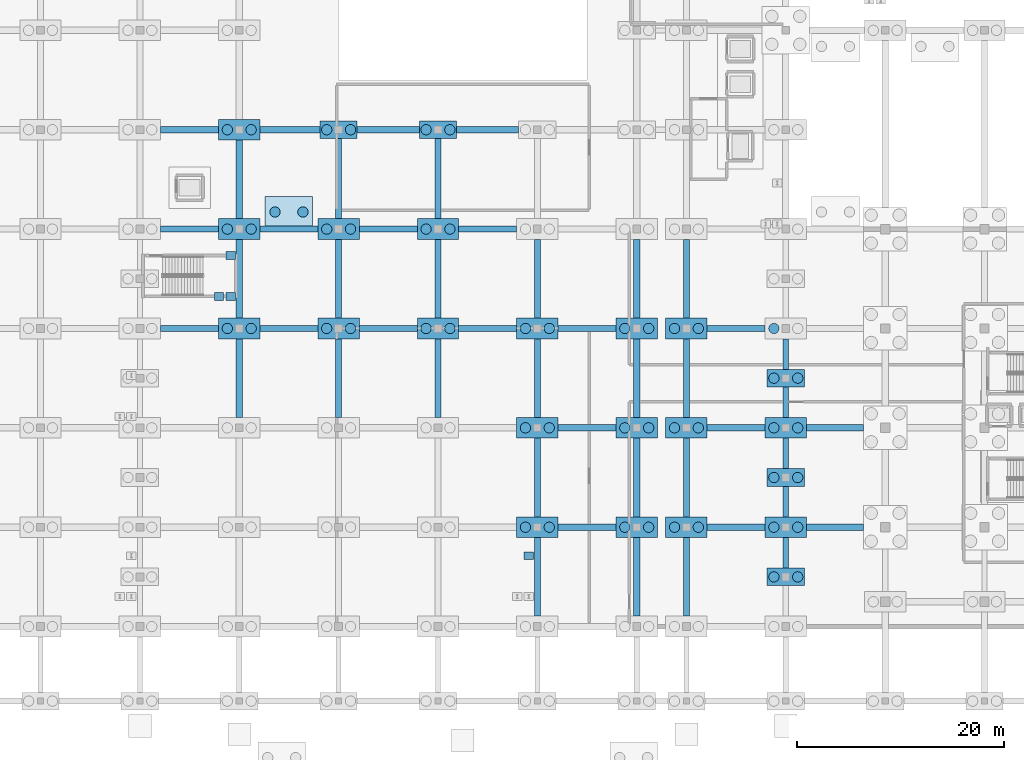
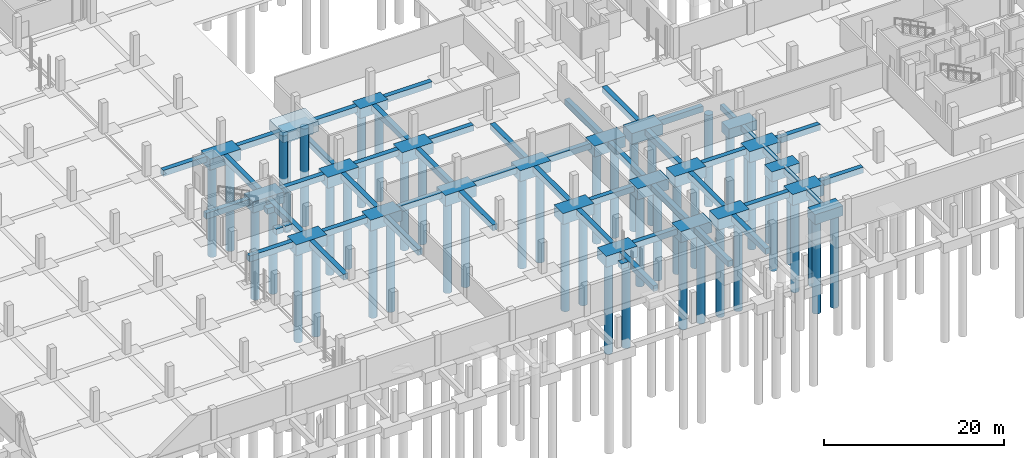
# One storey, part 4 of 54: 74 footings, 49 piles.
"""IFC4 building model written with IfcOpenShell, lengths in metres."""

from ifc_helpers import new_model, si_unit, direction, frame, origin, origin_2d, place, context, subcontext, project, spatial, rectangle, circle, extrude, material, material_profile, profile_set, type_object, element, save


model = new_model("IFC4")

# Units and contexts
model_context = context("Model", 3, precision=1e-05, world=origin(), true_north=direction((0.0, 1.0)))
body_context = subcontext(model_context, "Body", "Model", "MODEL_VIEW")
ifc_project = project(units=[si_unit("LENGTHUNIT", "METRE"), si_unit("AREAUNIT", "SQUARE_METRE"), si_unit("VOLUMEUNIT", "CUBIC_METRE"), si_unit("PLANEANGLEUNIT", "RADIAN"), si_unit("MASSUNIT", "GRAM", prefix="KILO")], contexts=[model_context])

# Site, building, storey
site_placement = place(None, origin())
site = spatial("IfcSite", under=ifc_project, at=site_placement, CompositionType="ELEMENT")
building_placement = place(site_placement, origin())
building = spatial("IfcBuilding", under=site, at=building_placement, Name="Zevrakil Square Congress Hotel", CompositionType="ELEMENT")
storey_placement = place(building_placement, frame((0.0, 0.0, -8.39990234375)))
storey = spatial("IfcBuildingStorey", under=building, at=storey_placement, Name="B2", CompositionType="ELEMENT", Elevation=-8.39990234375)

# Footings
ifc_material_1 = material(Name="Concrete C35/45", Category="concrete")
footing_type_1 = type_object("IfcFootingType", Name="FTG-PC2-360", PredefinedType="PILE_CAP", material=ifc_material_1)
for number, where, z_axis, x_axis, name in (
    (1, (74.39990234375, 55.199951171875, -1.35009765625), (0.0, 0.0, 1.0), (1.0, 0.0, 0.0), "Pile cap PC2-118"),
    (2, (84.0, 55.199951171875, -1.35009765625), (0.0, 0.0, 1.0), (1.0, 0.0, 0.0), "Pile cap PC2-132"),
    (3, (117.60009765625, 12.0, -1.35009765625), (0.0, 0.0, 1.0), (1.0, 0.0, 0.0), "Pile cap PC2-N117-012"),
    (4, (117.60009765625, 21.60009765625, -1.35009765625), (0.0, 0.0, 1.0), (1.0, 0.0, 0.0), "Pile cap PC2-N117-021"),
    (5, (117.60009765625, 31.199951171875, -1.35009765625), (0.0, 0.0, 1.0), (1.0, 0.0, 0.0), "Pile cap PC2-N117-031"),
):
    element("IfcFooting", number, at=place(storey_placement, frame(where, z_axis=z_axis, x_axis=x_axis)), inside=storey, type_object=footing_type_1, Name=name, PredefinedType="PILE_CAP", context=body_context, shape_type="SweptSolid", body=[
        extrude(rectangle(XDim=3.60009765625, YDim=1.699951171875, at=origin_2d()), origin(), (0.0, 0.0, 1.0), 1.35009765625),
    ])
ifc_material_2 = material(Name="Concrete C35/45", Category="concrete")
footing_type_2 = type_object("IfcFootingType", Name="FTG-PC2-400", PredefinedType="PILE_CAP", material=ifc_material_2)
for number, where, z_axis, x_axis, name in (
    (6, (64.800048828125, 36.0, -1.5), (0.0, 0.0, 1.0), (1.0, 0.0, 0.0), "Pile cap PC2-102"),
    (7, (64.800048828125, 45.60009765625, -1.5), (0.0, 0.0, 1.0), (1.0, 0.0, 0.0), "Pile cap PC2-103"),
    (8, (64.800048828125, 55.199951171875, -1.5), (0.0, 0.0, 1.0), (1.0, 0.0, 0.0), "Pile cap PC2-104"),
    (9, (74.39990234375, 36.0, -1.5), (0.0, 0.0, 1.0), (1.0, 0.0, 0.0), "Pile cap PC2-116"),
    (10, (74.39990234375, 45.60009765625, -1.5), (0.0, 0.0, 1.0), (1.0, 0.0, 0.0), "Pile cap PC2-117"),
    (11, (84.0, 36.0, -1.5), (0.0, 0.0, 1.0), (1.0, 0.0, 0.0), "Pile cap PC2-130"),
    (12, (84.0, 45.60009765625, -1.5), (0.0, 0.0, 1.0), (1.0, 0.0, 0.0), "Pile cap PC2-131"),
    (13, (93.60009765625, 16.800048828125, -1.5), (0.0, 0.0, 1.0), (1.0, 0.0, 0.0), "Pile cap PC2-142"),
    (14, (93.60009765625, 26.39990234375, -1.5), (0.0, 0.0, 1.0), (1.0, 0.0, 0.0), "Pile cap PC2-143"),
    (15, (93.60009765625, 36.0, -1.5), (0.0, 0.0, 1.0), (1.0, 0.0, 0.0), "Pile cap PC2-144"),
    (16, (103.199951171875, 16.800048828125, -1.5), (0.0, 0.0, 1.0), (1.0, 0.0, 0.0), "Pile cap PC2-156"),
    (17, (103.199951171875, 26.39990234375, -1.5), (0.0, 0.0, 1.0), (1.0, 0.0, 0.0), "Pile cap PC2-157"),
    (18, (103.199951171875, 36.0, -1.5), (0.0, 0.0, 1.0), (1.0, 0.0, 0.0), "Pile cap PC2-158"),
    (19, (108.0, 16.800048828125, -1.5), (0.0, 0.0, 1.0), (1.0, 0.0, 0.0), "Pile cap PC2-170"),
    (20, (108.0, 26.39990234375, -1.5), (0.0, 0.0, 1.0), (1.0, 0.0, 0.0), "Pile cap PC2-171"),
    (21, (108.0, 36.0, -1.5), (0.0, 0.0, 1.0), (1.0, 0.0, 0.0), "Pile cap PC2-172"),
    (22, (117.60009765625, 16.800048828125, -1.5), (0.0, 0.0, 1.0), (1.0, 0.0, 0.0), "Pile cap PC2-184"),
    (23, (117.60009765625, 26.39990234375, -1.5), (0.0, 0.0, 1.0), (1.0, 0.0, 0.0), "Pile cap PC2-185"),
):
    element("IfcFooting", number, at=place(storey_placement, frame(where, z_axis=z_axis, x_axis=x_axis)), inside=storey, type_object=footing_type_2, Name=name, PredefinedType="PILE_CAP", context=body_context, shape_type="SweptSolid", body=[
        extrude(rectangle(XDim=4.0, YDim=2.0, at=origin_2d()), origin(), (0.0, 0.0, 1.0), 1.5),
    ])
ifc_material_3 = material(Name="Concrete C35/45", Category="concrete")
footing_type_3 = type_object("IfcFootingType", Name="FTG-PC2-460x300", PredefinedType="PILE_CAP", material=ifc_material_3)
footing_1_placement = place(storey_placement, frame((69.60009765625, 47.25, 5.75), z_axis=(0.0, 0.0, 1.0), x_axis=(1.0, 0.0, 0.0)))
element("IfcFooting", 24, at=footing_1_placement, inside=storey, type_object=footing_type_3, Name="Exterior exit landing two-pile cap EX-ST04", PredefinedType="PILE_CAP", context=body_context, shape_type="SweptSolid", body=[
    extrude(rectangle(XDim=4.60009765625, YDim=3.0, at=origin_2d()), origin(), (0.0, 0.0, 1.0), 1.39990234375),
])
ifc_material_4 = material(Name="Concrete C35/45", Category="concrete")
ifc_material_profile_1 = material_profile(ifc_material_4, rectangle(XDim=0.75, YDim=0.75, at=origin_2d()), Name="RC 750x750")
ifc_profile_set_1 = profile_set([ifc_material_profile_1], Name="Concrete C35/45")
footing_type_4 = type_object("IfcFootingType", Name="FTG-STRIP-750", PredefinedType="STRIP_FOOTING", material=ifc_profile_set_1)
footing_2_placement = place(storey_placement, frame((62.39990234375, 39.10009765625, -0.375), z_axis=(1.0, 0.0, 0.0), x_axis=(0.0, 1.0, 0.0)))
element("IfcFooting", 25, at=footing_2_placement, inside=storey, type_object=footing_type_4, Name="B2 stair post footing ST04-1", PredefinedType="STRIP_FOOTING", context=body_context, shape_type="SweptSolid", body=[
    extrude(rectangle(XDim=0.75, YDim=0.75, at=origin_2d()), origin(), (0.0, 0.0, 1.0), 0.900146484375),
])
for number, where, z_axis, x_axis, name in (
    (26, (63.530029296875, 39.10009765625, -0.375), (1.0, 0.0, 0.0), (0.0, 1.0, 0.0), "B2 stair post footing ST04-2"),
    (27, (63.530029296875, 43.050048828125, -0.375), (1.0, 0.0, 0.0), (0.0, 1.0, 0.0), "B2 stair post footing ST04-3"),
    (28, (92.330078125, 14.050048828125, -0.375), (1.0, 0.0, 0.0), (0.0, 1.0, 0.0), "B2 stair post footing ST15-3"),
):
    element("IfcFooting", number, at=place(storey_placement, frame(where, z_axis=z_axis, x_axis=x_axis)), inside=storey, type_object=footing_type_4, Name=name, PredefinedType="STRIP_FOOTING", context=body_context, shape_type="SweptSolid", body=[
        extrude(rectangle(XDim=0.75, YDim=0.75, at=origin_2d()), origin(), (0.0, 0.0, 1.0), 0.89990234375),
    ])
ifc_material_5 = material(Name="Concrete C35/45", Category="concrete")
ifc_material_profile_2 = material_profile(ifc_material_5, rectangle(XDim=0.5, YDim=0.75, at=origin_2d()), Name="RC 500x750")
ifc_profile_set_2 = profile_set([ifc_material_profile_2], Name="Concrete C35/45")
footing_type_5 = type_object("IfcFootingType", Name="FTG-TIE-500x750", PredefinedType="FOOTING_BEAM", material=ifc_profile_set_2)
for number, where, z_axis, x_axis, name in (
    (29, (117.60009765625, 12.85009765625, -0.375), (0.0, 1.0, 0.0), (-1.0, 0.0, 0.0), "Ground tie beam GB-376"),
    (30, (117.60009765625, 17.800048828125, -0.375), (0.0, 1.0, 0.0), (-1.0, 0.0, 0.0), "Ground tie beam GB-377"),
    (31, (117.60009765625, 22.449951171875, -0.375), (0.0, 1.0, 0.0), (-1.0, 0.0, 0.0), "Ground tie beam GB-378"),
):
    element("IfcFooting", number, at=place(storey_placement, frame(where, z_axis=z_axis, x_axis=x_axis)), inside=storey, type_object=footing_type_5, Name=name, PredefinedType="FOOTING_BEAM", context=body_context, shape_type="SweptSolid", body=[
        extrude(rectangle(XDim=0.5, YDim=0.75, at=origin_2d()), origin(), (0.0, 0.0, 1.0), 2.949951171875),
    ])
footing_3_placement = place(storey_placement, frame((117.60009765625, 27.39990234375, -0.375), z_axis=(0.0, 1.0, 0.0), x_axis=(-1.0, 0.0, 0.0)))
element("IfcFooting", 32, at=footing_3_placement, inside=storey, type_object=footing_type_5, Name="Ground tie beam GB-379", PredefinedType="FOOTING_BEAM", context=body_context, shape_type="SweptSolid", body=[
    extrude(rectangle(XDim=0.5, YDim=0.75, at=origin_2d()), origin(), (0.0, 0.0, 1.0), 2.9501953125),
])
footing_4_placement = place(storey_placement, frame((117.60009765625, 32.050048828125, -0.375), z_axis=(0.0, 1.0, 0.0), x_axis=(-1.0, 0.0, 0.0)))
element("IfcFooting", 33, at=footing_4_placement, inside=storey, type_object=footing_type_5, Name="Ground tie beam GB-380", PredefinedType="FOOTING_BEAM", context=body_context, shape_type="SweptSolid", body=[
    extrude(rectangle(XDim=0.5, YDim=0.75, at=origin_2d()), origin(), (0.0, 0.0, 1.0), 2.949951171875),
])
ifc_material_6 = material(Name="Concrete C35/45", Category="concrete")
ifc_material_profile_3 = material_profile(ifc_material_6, rectangle(XDim=0.60009765625, YDim=0.800048828125, at=origin_2d()), Name="RC 600x800")
ifc_profile_set_3 = profile_set([ifc_material_profile_3], Name="Concrete C35/45")
footing_type_6 = type_object("IfcFootingType", Name="FTG-TIE-600x800", PredefinedType="FOOTING_BEAM", material=ifc_profile_set_3)
footing_5_placement = place(storey_placement, frame((95.60009765625, 16.800048828125, -0.400146484375), z_axis=(1.0, 0.0, 0.0), x_axis=(0.0, 1.0, 0.0)))
element("IfcFooting", 34, at=footing_5_placement, inside=storey, type_object=footing_type_6, Name="Ground tie beam GB-046", PredefinedType="FOOTING_BEAM", context=body_context, shape_type="SweptSolid", body=[
    extrude(rectangle(XDim=0.60009765625, YDim=0.800048828125, at=origin_2d()), origin(), (0.0, 0.0, 1.0), 5.599853515625),
])
footing_6_placement = place(storey_placement, frame((110.0, 16.800048828125, -0.400146484375), z_axis=(1.0, 0.0, 0.0), x_axis=(0.0, 1.0, 0.0)))
element("IfcFooting", 35, at=footing_6_placement, inside=storey, type_object=footing_type_6, Name="Ground tie beam GB-047", PredefinedType="FOOTING_BEAM", context=body_context, shape_type="SweptSolid", body=[
    extrude(rectangle(XDim=0.60009765625, YDim=0.800048828125, at=origin_2d()), origin(), (0.0, 0.0, 1.0), 5.60009765625),
])
footing_7_placement = place(storey_placement, frame((119.60009765625, 16.800048828125, -0.400146484375), z_axis=(1.0, 0.0, 0.0), x_axis=(0.0, 1.0, 0.0)))
element("IfcFooting", 36, at=footing_7_placement, inside=storey, type_object=footing_type_6, Name="Ground tie beam GB-048", PredefinedType="FOOTING_BEAM", context=body_context, shape_type="SweptSolid", body=[
    extrude(rectangle(XDim=0.60009765625, YDim=0.800048828125, at=origin_2d()), origin(), (0.0, 0.0, 1.0), 5.5),
])
footing_8_placement = place(storey_placement, frame((95.60009765625, 26.39990234375, -0.400146484375), z_axis=(1.0, 0.0, 0.0), x_axis=(0.0, 1.0, 0.0)))
element("IfcFooting", 37, at=footing_8_placement, inside=storey, type_object=footing_type_6, Name="Ground tie beam GB-064", PredefinedType="FOOTING_BEAM", context=body_context, shape_type="SweptSolid", body=[
    extrude(rectangle(XDim=0.60009765625, YDim=0.800048828125, at=origin_2d()), origin(), (0.0, 0.0, 1.0), 5.599853515625),
])
footing_9_placement = place(storey_placement, frame((110.0, 26.39990234375, -0.400146484375), z_axis=(1.0, 0.0, 0.0), x_axis=(0.0, 1.0, 0.0)))
element("IfcFooting", 38, at=footing_9_placement, inside=storey, type_object=footing_type_6, Name="Ground tie beam GB-065", PredefinedType="FOOTING_BEAM", context=body_context, shape_type="SweptSolid", body=[
    extrude(rectangle(XDim=0.60009765625, YDim=0.800048828125, at=origin_2d()), origin(), (0.0, 0.0, 1.0), 5.60009765625),
])
footing_10_placement = place(storey_placement, frame((119.60009765625, 26.39990234375, -0.400146484375), z_axis=(1.0, 0.0, 0.0), x_axis=(0.0, 1.0, 0.0)))
element("IfcFooting", 39, at=footing_10_placement, inside=storey, type_object=footing_type_6, Name="Ground tie beam GB-066", PredefinedType="FOOTING_BEAM", context=body_context, shape_type="SweptSolid", body=[
    extrude(rectangle(XDim=0.60009765625, YDim=0.800048828125, at=origin_2d()), origin(), (0.0, 0.0, 1.0), 5.5),
])
footing_11_placement = place(storey_placement, frame((57.199951171875, 36.0, -0.400146484375), z_axis=(1.0, 0.0, 0.0), x_axis=(0.0, 1.0, 0.0)))
element("IfcFooting", 40, at=footing_11_placement, inside=storey, type_object=footing_type_6, Name="Ground tie beam GB-077", PredefinedType="FOOTING_BEAM", context=body_context, shape_type="SweptSolid", body=[
    extrude(rectangle(XDim=0.60009765625, YDim=0.800048828125, at=origin_2d()), origin(), (0.0, 0.0, 1.0), 5.60009765625),
])
footing_12_placement = place(storey_placement, frame((66.800048828125, 36.0, -0.400146484375), z_axis=(1.0, 0.0, 0.0), x_axis=(0.0, 1.0, 0.0)))
element("IfcFooting", 41, at=footing_12_placement, inside=storey, type_object=footing_type_6, Name="Ground tie beam GB-078", PredefinedType="FOOTING_BEAM", context=body_context, shape_type="SweptSolid", body=[
    extrude(rectangle(XDim=0.60009765625, YDim=0.800048828125, at=origin_2d()), origin(), (0.0, 0.0, 1.0), 5.599853515625),
])
for number, where, z_axis, x_axis, name in (
    (42, (76.39990234375, 36.0, -0.400146484375), (1.0, 0.0, 0.0), (0.0, 1.0, 0.0), "Ground tie beam GB-079"),
    (43, (86.0, 36.0, -0.400146484375), (1.0, 0.0, 0.0), (0.0, 1.0, 0.0), "Ground tie beam GB-080"),
):
    element("IfcFooting", number, at=place(storey_placement, frame(where, z_axis=z_axis, x_axis=x_axis)), inside=storey, type_object=footing_type_6, Name=name, PredefinedType="FOOTING_BEAM", context=body_context, shape_type="SweptSolid", body=[
        extrude(rectangle(XDim=0.60009765625, YDim=0.800048828125, at=origin_2d()), origin(), (0.0, 0.0, 1.0), 5.60009765625),
    ])
footing_13_placement = place(storey_placement, frame((95.60009765625, 36.0, -0.400146484375), z_axis=(1.0, 0.0, 0.0), x_axis=(0.0, 1.0, 0.0)))
element("IfcFooting", 44, at=footing_13_placement, inside=storey, type_object=footing_type_6, Name="Ground tie beam GB-081", PredefinedType="FOOTING_BEAM", context=body_context, shape_type="SweptSolid", body=[
    extrude(rectangle(XDim=0.60009765625, YDim=0.800048828125, at=origin_2d()), origin(), (0.0, 0.0, 1.0), 5.599853515625),
])
for number, where, z_axis, x_axis, name in (
    (45, (110.0, 36.0, -0.400146484375), (1.0, 0.0, 0.0), (0.0, 1.0, 0.0), "Ground tie beam GB-082"),
    (46, (57.199951171875, 45.60009765625, -0.400146484375), (1.0, 0.0, 0.0), (0.0, 1.0, 0.0), "Ground tie beam GB-094"),
):
    element("IfcFooting", number, at=place(storey_placement, frame(where, z_axis=z_axis, x_axis=x_axis)), inside=storey, type_object=footing_type_6, Name=name, PredefinedType="FOOTING_BEAM", context=body_context, shape_type="SweptSolid", body=[
        extrude(rectangle(XDim=0.60009765625, YDim=0.800048828125, at=origin_2d()), origin(), (0.0, 0.0, 1.0), 5.60009765625),
    ])
footing_14_placement = place(storey_placement, frame((66.800048828125, 45.60009765625, -0.400146484375), z_axis=(1.0, 0.0, 0.0), x_axis=(0.0, 1.0, 0.0)))
element("IfcFooting", 47, at=footing_14_placement, inside=storey, type_object=footing_type_6, Name="Ground tie beam GB-095", PredefinedType="FOOTING_BEAM", context=body_context, shape_type="SweptSolid", body=[
    extrude(rectangle(XDim=0.60009765625, YDim=0.800048828125, at=origin_2d()), origin(), (0.0, 0.0, 1.0), 5.599853515625),
])
for number, where, z_axis, x_axis, name in (
    (48, (76.39990234375, 45.60009765625, -0.400146484375), (1.0, 0.0, 0.0), (0.0, 1.0, 0.0), "Ground tie beam GB-096"),
    (49, (86.0, 45.60009765625, -0.400146484375), (1.0, 0.0, 0.0), (0.0, 1.0, 0.0), "Ground tie beam GB-097"),
    (50, (57.199951171875, 55.199951171875, -0.400146484375), (1.0, 0.0, 0.0), (0.0, 1.0, 0.0), "Ground tie beam GB-111"),
):
    element("IfcFooting", number, at=place(storey_placement, frame(where, z_axis=z_axis, x_axis=x_axis)), inside=storey, type_object=footing_type_6, Name=name, PredefinedType="FOOTING_BEAM", context=body_context, shape_type="SweptSolid", body=[
        extrude(rectangle(XDim=0.60009765625, YDim=0.800048828125, at=origin_2d()), origin(), (0.0, 0.0, 1.0), 5.60009765625),
    ])
footing_15_placement = place(storey_placement, frame((66.800048828125, 55.199951171875, -0.400146484375), z_axis=(1.0, 0.0, 0.0), x_axis=(0.0, 1.0, 0.0)))
element("IfcFooting", 51, at=footing_15_placement, inside=storey, type_object=footing_type_6, Name="Ground tie beam GB-112", PredefinedType="FOOTING_BEAM", context=body_context, shape_type="SweptSolid", body=[
    extrude(rectangle(XDim=0.60009765625, YDim=0.800048828125, at=origin_2d()), origin(), (0.0, 0.0, 1.0), 5.800048828125),
])
for number, where, z_axis, x_axis, name in (
    (52, (76.199951171875, 55.199951171875, -0.400146484375), (1.0, 0.0, 0.0), (0.0, 1.0, 0.0), "Ground tie beam GB-113"),
    (53, (85.800048828125, 55.199951171875, -0.400146484375), (1.0, 0.0, 0.0), (0.0, 1.0, 0.0), "Ground tie beam GB-114"),
):
    element("IfcFooting", number, at=place(storey_placement, frame(where, z_axis=z_axis, x_axis=x_axis)), inside=storey, type_object=footing_type_6, Name=name, PredefinedType="FOOTING_BEAM", context=body_context, shape_type="SweptSolid", body=[
        extrude(rectangle(XDim=0.60009765625, YDim=0.800048828125, at=origin_2d()), origin(), (0.0, 0.0, 1.0), 6.0),
    ])
for number, where, z_axis, x_axis, name in (
    (54, (64.800048828125, 27.39990234375, -0.400146484375), (0.0, 1.0, 0.0), (-1.0, 0.0, 0.0), "Ground tie beam GB-308"),
    (55, (64.800048828125, 37.0, -0.400146484375), (0.0, 1.0, 0.0), (-1.0, 0.0, 0.0), "Ground tie beam GB-309"),
):
    element("IfcFooting", number, at=place(storey_placement, frame(where, z_axis=z_axis, x_axis=x_axis)), inside=storey, type_object=footing_type_6, Name=name, PredefinedType="FOOTING_BEAM", context=body_context, shape_type="SweptSolid", body=[
        extrude(rectangle(XDim=0.60009765625, YDim=0.800048828125, at=origin_2d()), origin(), (0.0, 0.0, 1.0), 7.60009765625),
    ])
footing_16_placement = place(storey_placement, frame((64.800048828125, 46.60009765625, -0.400146484375), z_axis=(0.0, 1.0, 0.0), x_axis=(-1.0, 0.0, 0.0)))
element("IfcFooting", 56, at=footing_16_placement, inside=storey, type_object=footing_type_6, Name="Ground tie beam GB-310", PredefinedType="FOOTING_BEAM", context=body_context, shape_type="SweptSolid", body=[
    extrude(rectangle(XDim=0.60009765625, YDim=0.800048828125, at=origin_2d()), origin(), (0.0, 0.0, 1.0), 7.599853515625),
])
for number, where, z_axis, x_axis, name in (
    (57, (74.39990234375, 27.39990234375, -0.400146484375), (0.0, 1.0, 0.0), (-1.0, 0.0, 0.0), "Ground tie beam GB-321"),
    (58, (74.39990234375, 37.0, -0.400146484375), (0.0, 1.0, 0.0), (-1.0, 0.0, 0.0), "Ground tie beam GB-322"),
):
    element("IfcFooting", number, at=place(storey_placement, frame(where, z_axis=z_axis, x_axis=x_axis)), inside=storey, type_object=footing_type_6, Name=name, PredefinedType="FOOTING_BEAM", context=body_context, shape_type="SweptSolid", body=[
        extrude(rectangle(XDim=0.60009765625, YDim=0.800048828125, at=origin_2d()), origin(), (0.0, 0.0, 1.0), 7.60009765625),
    ])
footing_17_placement = place(storey_placement, frame((74.39990234375, 46.60009765625, -0.400146484375), z_axis=(0.0, 1.0, 0.0), x_axis=(-1.0, 0.0, 0.0)))
element("IfcFooting", 59, at=footing_17_placement, inside=storey, type_object=footing_type_6, Name="Ground tie beam GB-323", PredefinedType="FOOTING_BEAM", context=body_context, shape_type="SweptSolid", body=[
    extrude(rectangle(XDim=0.60009765625, YDim=0.800048828125, at=origin_2d()), origin(), (0.0, 0.0, 1.0), 7.75),
])
for number, where, z_axis, x_axis, name in (
    (60, (84.0, 27.39990234375, -0.400146484375), (0.0, 1.0, 0.0), (-1.0, 0.0, 0.0), "Ground tie beam GB-331"),
    (61, (84.0, 37.0, -0.400146484375), (0.0, 1.0, 0.0), (-1.0, 0.0, 0.0), "Ground tie beam GB-332"),
):
    element("IfcFooting", number, at=place(storey_placement, frame(where, z_axis=z_axis, x_axis=x_axis)), inside=storey, type_object=footing_type_6, Name=name, PredefinedType="FOOTING_BEAM", context=body_context, shape_type="SweptSolid", body=[
        extrude(rectangle(XDim=0.60009765625, YDim=0.800048828125, at=origin_2d()), origin(), (0.0, 0.0, 1.0), 7.60009765625),
    ])
footing_18_placement = place(storey_placement, frame((84.0, 46.60009765625, -0.400146484375), z_axis=(0.0, 1.0, 0.0), x_axis=(-1.0, 0.0, 0.0)))
element("IfcFooting", 62, at=footing_18_placement, inside=storey, type_object=footing_type_6, Name="Ground tie beam GB-333", PredefinedType="FOOTING_BEAM", context=body_context, shape_type="SweptSolid", body=[
    extrude(rectangle(XDim=0.60009765625, YDim=0.800048828125, at=origin_2d()), origin(), (0.0, 0.0, 1.0), 7.75),
])
footing_19_placement = place(storey_placement, frame((93.60009765625, 8.199951171875, -0.400146484375), z_axis=(0.0, 1.0, 0.0), x_axis=(-1.0, 0.0, 0.0)))
element("IfcFooting", 63, at=footing_19_placement, inside=storey, type_object=footing_type_6, Name="Ground tie beam GB-339", PredefinedType="FOOTING_BEAM", context=body_context, shape_type="SweptSolid", body=[
    extrude(rectangle(XDim=0.60009765625, YDim=0.800048828125, at=origin_2d()), origin(), (0.0, 0.0, 1.0), 7.60009765625),
])
footing_20_placement = place(storey_placement, frame((93.60009765625, 17.800048828125, -0.400146484375), z_axis=(0.0, 1.0, 0.0), x_axis=(-1.0, 0.0, 0.0)))
element("IfcFooting", 64, at=footing_20_placement, inside=storey, type_object=footing_type_6, Name="Ground tie beam GB-340", PredefinedType="FOOTING_BEAM", context=body_context, shape_type="SweptSolid", body=[
    extrude(rectangle(XDim=0.60009765625, YDim=0.800048828125, at=origin_2d()), origin(), (0.0, 0.0, 1.0), 7.599853515625),
])
for number, where, z_axis, x_axis, name in (
    (65, (93.60009765625, 27.39990234375, -0.400146484375), (0.0, 1.0, 0.0), (-1.0, 0.0, 0.0), "Ground tie beam GB-341"),
    (66, (93.60009765625, 37.0, -0.400146484375), (0.0, 1.0, 0.0), (-1.0, 0.0, 0.0), "Ground tie beam GB-342"),
    (67, (103.199951171875, 8.199951171875, -0.400146484375), (0.0, 1.0, 0.0), (-1.0, 0.0, 0.0), "Ground tie beam GB-349"),
):
    element("IfcFooting", number, at=place(storey_placement, frame(where, z_axis=z_axis, x_axis=x_axis)), inside=storey, type_object=footing_type_6, Name=name, PredefinedType="FOOTING_BEAM", context=body_context, shape_type="SweptSolid", body=[
        extrude(rectangle(XDim=0.60009765625, YDim=0.800048828125, at=origin_2d()), origin(), (0.0, 0.0, 1.0), 7.60009765625),
    ])
footing_21_placement = place(storey_placement, frame((103.199951171875, 17.800048828125, -0.400146484375), z_axis=(0.0, 1.0, 0.0), x_axis=(-1.0, 0.0, 0.0)))
element("IfcFooting", 68, at=footing_21_placement, inside=storey, type_object=footing_type_6, Name="Ground tie beam GB-350", PredefinedType="FOOTING_BEAM", context=body_context, shape_type="SweptSolid", body=[
    extrude(rectangle(XDim=0.60009765625, YDim=0.800048828125, at=origin_2d()), origin(), (0.0, 0.0, 1.0), 7.599853515625),
])
for number, where, z_axis, x_axis, name in (
    (69, (103.199951171875, 27.39990234375, -0.400146484375), (0.0, 1.0, 0.0), (-1.0, 0.0, 0.0), "Ground tie beam GB-351"),
    (70, (103.199951171875, 37.0, -0.400146484375), (0.0, 1.0, 0.0), (-1.0, 0.0, 0.0), "Ground tie beam GB-352"),
    (71, (108.0, 8.199951171875, -0.400146484375), (0.0, 1.0, 0.0), (-1.0, 0.0, 0.0), "Ground tie beam GB-362"),
):
    element("IfcFooting", number, at=place(storey_placement, frame(where, z_axis=z_axis, x_axis=x_axis)), inside=storey, type_object=footing_type_6, Name=name, PredefinedType="FOOTING_BEAM", context=body_context, shape_type="SweptSolid", body=[
        extrude(rectangle(XDim=0.60009765625, YDim=0.800048828125, at=origin_2d()), origin(), (0.0, 0.0, 1.0), 7.60009765625),
    ])
footing_22_placement = place(storey_placement, frame((108.0, 17.800048828125, -0.400146484375), z_axis=(0.0, 1.0, 0.0), x_axis=(-1.0, 0.0, 0.0)))
element("IfcFooting", 72, at=footing_22_placement, inside=storey, type_object=footing_type_6, Name="Ground tie beam GB-363", PredefinedType="FOOTING_BEAM", context=body_context, shape_type="SweptSolid", body=[
    extrude(rectangle(XDim=0.60009765625, YDim=0.800048828125, at=origin_2d()), origin(), (0.0, 0.0, 1.0), 7.599853515625),
])
for number, where, z_axis, x_axis, name in (
    (73, (108.0, 27.39990234375, -0.400146484375), (0.0, 1.0, 0.0), (-1.0, 0.0, 0.0), "Ground tie beam GB-364"),
    (74, (108.0, 37.0, -0.400146484375), (0.0, 1.0, 0.0), (-1.0, 0.0, 0.0), "Ground tie beam GB-365"),
):
    element("IfcFooting", number, at=place(storey_placement, frame(where, z_axis=z_axis, x_axis=x_axis)), inside=storey, type_object=footing_type_6, Name=name, PredefinedType="FOOTING_BEAM", context=body_context, shape_type="SweptSolid", body=[
        extrude(rectangle(XDim=0.60009765625, YDim=0.800048828125, at=origin_2d()), origin(), (0.0, 0.0, 1.0), 7.60009765625),
    ])

# Piles
ifc_material_7 = material(Name="Concrete C35/45", Category="concrete")
ifc_material_profile_4 = material_profile(ifc_material_7, circle(Radius=0.5, at=origin_2d()), Name="PILE D1000")
ifc_profile_set_4 = profile_set([ifc_material_profile_4], Name="Concrete C35/45")
pile_type = type_object("IfcPileType", Name="PILE-BORED-1000", PredefinedType="BORED", material=ifc_profile_set_4)
for number, where, z_axis, x_axis, name in (
    (75, (63.64990234375, 36.0, -1.400146484375), (0.0, 0.0, -1.0), (1.0, 0.0, 0.0), "Bored pile PC2-102-1"),
    (76, (65.949951171875, 36.0, -1.400146484375), (0.0, 0.0, -1.0), (1.0, 0.0, 0.0), "Bored pile PC2-102-2"),
    (77, (63.64990234375, 45.60009765625, -1.400146484375), (0.0, 0.0, -1.0), (1.0, 0.0, 0.0), "Bored pile PC2-103-1"),
    (78, (65.949951171875, 45.60009765625, -1.400146484375), (0.0, 0.0, -1.0), (1.0, 0.0, 0.0), "Bored pile PC2-103-2"),
    (79, (63.64990234375, 55.199951171875, -1.400146484375), (0.0, 0.0, -1.0), (1.0, 0.0, 0.0), "Bored pile PC2-104-1"),
    (80, (65.949951171875, 55.199951171875, -1.400146484375), (0.0, 0.0, -1.0), (1.0, 0.0, 0.0), "Bored pile PC2-104-2"),
    (81, (73.25, 36.0, -1.400146484375), (0.0, 0.0, -1.0), (1.0, 0.0, 0.0), "Bored pile PC2-116-1"),
    (82, (75.550048828125, 36.0, -1.400146484375), (0.0, 0.0, -1.0), (1.0, 0.0, 0.0), "Bored pile PC2-116-2"),
    (83, (73.25, 45.60009765625, -1.400146484375), (0.0, 0.0, -1.0), (1.0, 0.0, 0.0), "Bored pile PC2-117-1"),
    (84, (75.550048828125, 45.60009765625, -1.400146484375), (0.0, 0.0, -1.0), (1.0, 0.0, 0.0), "Bored pile PC2-117-2"),
):
    element("IfcPile", number, at=place(storey_placement, frame(where, z_axis=z_axis, x_axis=x_axis)), inside=storey, type_object=pile_type, Name=name, PredefinedType="BORED", context=body_context, shape_type="SweptSolid", body=[
        extrude(circle(Radius=0.5, at=origin_2d()), origin(), (0.0, 0.0, 1.0), 12.5),
    ])
for number, where, z_axis, x_axis, name in (
    (85, (73.25, 55.199951171875, -1.25), (0.0, 0.0, -1.0), (1.0, 0.0, 0.0), "Bored pile PC2-118-1"),
    (86, (75.550048828125, 55.199951171875, -1.25), (0.0, 0.0, -1.0), (1.0, 0.0, 0.0), "Bored pile PC2-118-2"),
):
    element("IfcPile", number, at=place(storey_placement, frame(where, z_axis=z_axis, x_axis=x_axis)), inside=storey, type_object=pile_type, Name=name, PredefinedType="BORED", context=body_context, shape_type="SweptSolid", body=[
        extrude(circle(Radius=0.5, at=origin_2d()), origin(), (0.0, 0.0, 1.0), 12.64990234375),
    ])
for number, where, z_axis, x_axis, name in (
    (87, (82.85009765625, 36.0, -1.400146484375), (0.0, 0.0, -1.0), (1.0, 0.0, 0.0), "Bored pile PC2-130-1"),
    (88, (85.14990234375, 36.0, -1.400146484375), (0.0, 0.0, -1.0), (1.0, 0.0, 0.0), "Bored pile PC2-130-2"),
    (89, (82.85009765625, 45.60009765625, -1.400146484375), (0.0, 0.0, -1.0), (1.0, 0.0, 0.0), "Bored pile PC2-131-1"),
    (90, (85.14990234375, 45.60009765625, -1.400146484375), (0.0, 0.0, -1.0), (1.0, 0.0, 0.0), "Bored pile PC2-131-2"),
):
    element("IfcPile", number, at=place(storey_placement, frame(where, z_axis=z_axis, x_axis=x_axis)), inside=storey, type_object=pile_type, Name=name, PredefinedType="BORED", context=body_context, shape_type="SweptSolid", body=[
        extrude(circle(Radius=0.5, at=origin_2d()), origin(), (0.0, 0.0, 1.0), 12.5),
    ])
for number, where, z_axis, x_axis, name in (
    (91, (82.85009765625, 55.199951171875, -1.25), (0.0, 0.0, -1.0), (1.0, 0.0, 0.0), "Bored pile PC2-132-1"),
    (92, (85.14990234375, 55.199951171875, -1.25), (0.0, 0.0, -1.0), (1.0, 0.0, 0.0), "Bored pile PC2-132-2"),
):
    element("IfcPile", number, at=place(storey_placement, frame(where, z_axis=z_axis, x_axis=x_axis)), inside=storey, type_object=pile_type, Name=name, PredefinedType="BORED", context=body_context, shape_type="SweptSolid", body=[
        extrude(circle(Radius=0.5, at=origin_2d()), origin(), (0.0, 0.0, 1.0), 12.64990234375),
    ])
for number, where, z_axis, x_axis, name in (
    (93, (92.449951171875, 16.800048828125, -1.400146484375), (0.0, 0.0, -1.0), (1.0, 0.0, 0.0), "Bored pile PC2-142-1"),
    (94, (94.75, 16.800048828125, -1.400146484375), (0.0, 0.0, -1.0), (1.0, 0.0, 0.0), "Bored pile PC2-142-2"),
    (95, (92.449951171875, 26.39990234375, -1.400146484375), (0.0, 0.0, -1.0), (1.0, 0.0, 0.0), "Bored pile PC2-143-1"),
    (96, (94.75, 26.39990234375, -1.400146484375), (0.0, 0.0, -1.0), (1.0, 0.0, 0.0), "Bored pile PC2-143-2"),
    (97, (92.449951171875, 36.0, -1.400146484375), (0.0, 0.0, -1.0), (1.0, 0.0, 0.0), "Bored pile PC2-144-1"),
    (98, (94.75, 36.0, -1.400146484375), (0.0, 0.0, -1.0), (1.0, 0.0, 0.0), "Bored pile PC2-144-2"),
    (99, (102.050048828125, 16.800048828125, -1.400146484375), (0.0, 0.0, -1.0), (1.0, 0.0, 0.0), "Bored pile PC2-156-1"),
    (100, (104.35009765625, 16.800048828125, -1.400146484375), (0.0, 0.0, -1.0), (1.0, 0.0, 0.0), "Bored pile PC2-156-2"),
    (101, (102.050048828125, 26.39990234375, -1.400146484375), (0.0, 0.0, -1.0), (1.0, 0.0, 0.0), "Bored pile PC2-157-1"),
    (102, (104.35009765625, 26.39990234375, -1.400146484375), (0.0, 0.0, -1.0), (1.0, 0.0, 0.0), "Bored pile PC2-157-2"),
    (103, (102.050048828125, 36.0, -1.400146484375), (0.0, 0.0, -1.0), (1.0, 0.0, 0.0), "Bored pile PC2-158-1"),
    (104, (104.35009765625, 36.0, -1.400146484375), (0.0, 0.0, -1.0), (1.0, 0.0, 0.0), "Bored pile PC2-158-2"),
    (105, (106.85009765625, 16.800048828125, -1.400146484375), (0.0, 0.0, -1.0), (1.0, 0.0, 0.0), "Bored pile PC2-170-1"),
    (106, (109.14990234375, 16.800048828125, -1.400146484375), (0.0, 0.0, -1.0), (1.0, 0.0, 0.0), "Bored pile PC2-170-2"),
    (107, (106.85009765625, 26.39990234375, -1.400146484375), (0.0, 0.0, -1.0), (1.0, 0.0, 0.0), "Bored pile PC2-171-1"),
    (108, (109.14990234375, 26.39990234375, -1.400146484375), (0.0, 0.0, -1.0), (1.0, 0.0, 0.0), "Bored pile PC2-171-2"),
    (109, (106.85009765625, 36.0, -1.400146484375), (0.0, 0.0, -1.0), (1.0, 0.0, 0.0), "Bored pile PC2-172-1"),
    (110, (109.14990234375, 36.0, -1.400146484375), (0.0, 0.0, -1.0), (1.0, 0.0, 0.0), "Bored pile PC2-172-2"),
):
    element("IfcPile", number, at=place(storey_placement, frame(where, z_axis=z_axis, x_axis=x_axis)), inside=storey, type_object=pile_type, Name=name, PredefinedType="BORED", context=body_context, shape_type="SweptSolid", body=[
        extrude(circle(Radius=0.5, at=origin_2d()), origin(), (0.0, 0.0, 1.0), 12.5),
    ])
for number, where, z_axis, x_axis, name in (
    (111, (116.449951171875, 12.0, -1.25), (0.0, 0.0, -1.0), (1.0, 0.0, 0.0), "Bored pile PC2-N117-012-1"),
    (112, (118.75, 12.0, -1.25), (0.0, 0.0, -1.0), (1.0, 0.0, 0.0), "Bored pile PC2-N117-012-2"),
):
    element("IfcPile", number, at=place(storey_placement, frame(where, z_axis=z_axis, x_axis=x_axis)), inside=storey, type_object=pile_type, Name=name, PredefinedType="BORED", context=body_context, shape_type="SweptSolid", body=[
        extrude(circle(Radius=0.5, at=origin_2d()), origin(), (0.0, 0.0, 1.0), 12.64990234375),
    ])
for number, where, z_axis, x_axis, name in (
    (113, (116.449951171875, 16.800048828125, -1.400146484375), (0.0, 0.0, -1.0), (1.0, 0.0, 0.0), "Bored pile PC2-184-1"),
    (114, (118.75, 16.800048828125, -1.400146484375), (0.0, 0.0, -1.0), (1.0, 0.0, 0.0), "Bored pile PC2-184-2"),
):
    element("IfcPile", number, at=place(storey_placement, frame(where, z_axis=z_axis, x_axis=x_axis)), inside=storey, type_object=pile_type, Name=name, PredefinedType="BORED", context=body_context, shape_type="SweptSolid", body=[
        extrude(circle(Radius=0.5, at=origin_2d()), origin(), (0.0, 0.0, 1.0), 12.5),
    ])
for number, where, z_axis, x_axis, name in (
    (115, (116.449951171875, 21.60009765625, -1.25), (0.0, 0.0, -1.0), (1.0, 0.0, 0.0), "Bored pile PC2-N117-021-1"),
    (116, (118.75, 21.60009765625, -1.25), (0.0, 0.0, -1.0), (1.0, 0.0, 0.0), "Bored pile PC2-N117-021-2"),
):
    element("IfcPile", number, at=place(storey_placement, frame(where, z_axis=z_axis, x_axis=x_axis)), inside=storey, type_object=pile_type, Name=name, PredefinedType="BORED", context=body_context, shape_type="SweptSolid", body=[
        extrude(circle(Radius=0.5, at=origin_2d()), origin(), (0.0, 0.0, 1.0), 12.64990234375),
    ])
for number, where, z_axis, x_axis, name in (
    (117, (116.449951171875, 26.39990234375, -1.400146484375), (0.0, 0.0, -1.0), (1.0, 0.0, 0.0), "Bored pile PC2-185-1"),
    (118, (118.75, 26.39990234375, -1.400146484375), (0.0, 0.0, -1.0), (1.0, 0.0, 0.0), "Bored pile PC2-185-2"),
):
    element("IfcPile", number, at=place(storey_placement, frame(where, z_axis=z_axis, x_axis=x_axis)), inside=storey, type_object=pile_type, Name=name, PredefinedType="BORED", context=body_context, shape_type="SweptSolid", body=[
        extrude(circle(Radius=0.5, at=origin_2d()), origin(), (0.0, 0.0, 1.0), 12.5),
    ])
for number, where, z_axis, x_axis, name in (
    (119, (116.449951171875, 31.199951171875, -1.25), (0.0, 0.0, -1.0), (1.0, 0.0, 0.0), "Bored pile PC2-N117-031-1"),
    (120, (118.75, 31.199951171875, -1.25), (0.0, 0.0, -1.0), (1.0, 0.0, 0.0), "Bored pile PC2-N117-031-2"),
):
    element("IfcPile", number, at=place(storey_placement, frame(where, z_axis=z_axis, x_axis=x_axis)), inside=storey, type_object=pile_type, Name=name, PredefinedType="BORED", context=body_context, shape_type="SweptSolid", body=[
        extrude(circle(Radius=0.5, at=origin_2d()), origin(), (0.0, 0.0, 1.0), 12.64990234375),
    ])
pile_placement = place(storey_placement, frame((116.449951171875, 36.0, -1.400146484375), z_axis=(0.0, 0.0, -1.0), x_axis=(1.0, 0.0, 0.0)))
element("IfcPile", 121, at=pile_placement, inside=storey, type_object=pile_type, Name="Bored pile PC2-186-1", PredefinedType="BORED", context=body_context, shape_type="SweptSolid", body=[
    extrude(circle(Radius=0.5, at=origin_2d()), origin(), (0.0, 0.0, 1.0), 12.5),
])
for number, where, z_axis, x_axis, name in (
    (122, (68.25, 47.25, 5.849853515625), (0.0, 0.0, -1.0), (1.0, 0.0, 0.0), "Exterior exit apron bored pile EX-ST04-1"),
    (123, (70.949951171875, 47.25, 5.849853515625), (0.0, 0.0, -1.0), (1.0, 0.0, 0.0), "Exterior exit apron bored pile EX-ST04-2"),
):
    element("IfcPile", number, at=place(storey_placement, frame(where, z_axis=z_axis, x_axis=x_axis)), inside=storey, type_object=pile_type, Name=name, PredefinedType="BORED", context=body_context, shape_type="SweptSolid", body=[
        extrude(circle(Radius=0.5, at=origin_2d()), origin(), (0.0, 0.0, 1.0), 7.199951171875),
    ])

save(model, "model.ifc")
